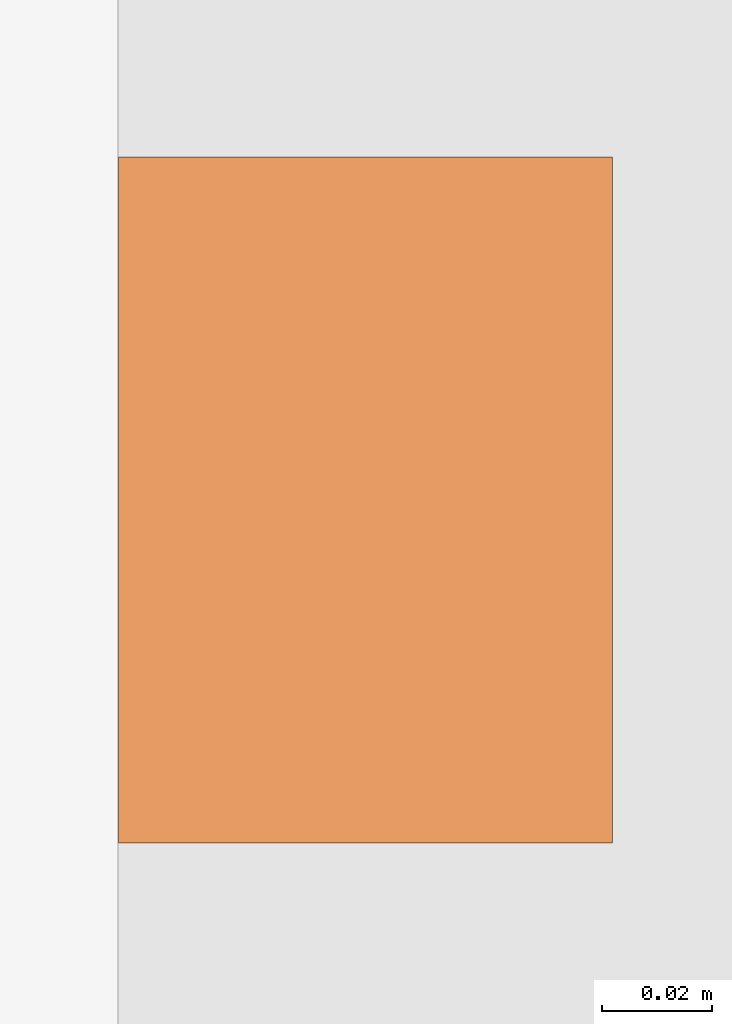
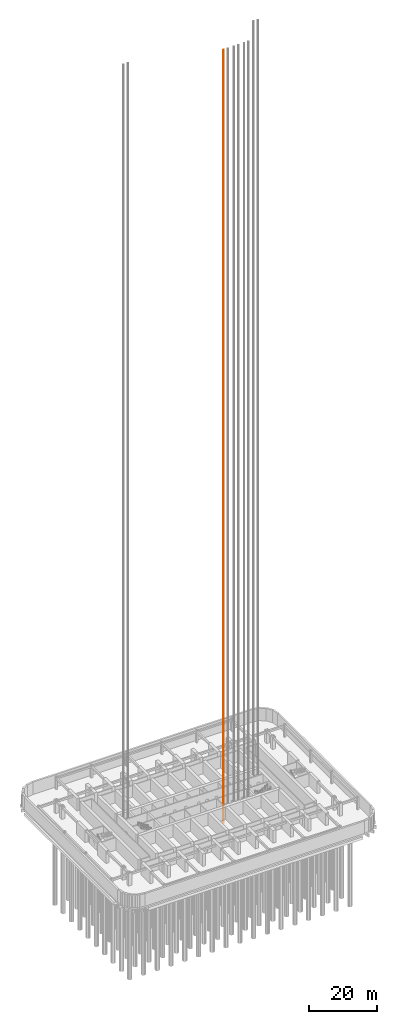
# One storey, part 19 of 28: 1 proxy.
"""IFC4 building model written with IfcOpenShell, lengths in metres."""

from ifc_helpers import new_model, si_unit, direction, frame, origin, origin_2d, place, context, subcontext, project, spatial, rectangle, extrude, material, element, save


model = new_model("IFC4")

# Units and contexts
model_context = context("Model", 3, precision=1e-05, world=origin(), true_north=direction((0.0, 1.0)))
body_context = subcontext(model_context, "Body", "Model", "MODEL_VIEW")
ifc_project = project(units=[si_unit("LENGTHUNIT", "METRE"), si_unit("AREAUNIT", "SQUARE_METRE"), si_unit("VOLUMEUNIT", "CUBIC_METRE"), si_unit("PLANEANGLEUNIT", "RADIAN"), si_unit("MASSUNIT", "GRAM", prefix="KILO")], contexts=[model_context])

# Site, building, storey
site_placement = place(None, origin())
site = spatial("IfcSite", under=ifc_project, at=site_placement, CompositionType="ELEMENT")
building_placement = place(site_placement, origin())
building = spatial("IfcBuilding", under=site, at=building_placement, Name="Orbita Commons", CompositionType="ELEMENT")
storey_placement = place(building_placement, frame((0.0, 0.0, -9.0)))
storey = spatial("IfcBuildingStorey", under=building, at=storey_placement, Name="L-02", CompositionType="ELEMENT", Elevation=-9.0)

# Proxy
ifc_material = material(Name="Machined steel guide rail", Category="steel")
placement = place(storey_placement, frame((49.166748046875, 28.10009765625, 0.0), z_axis=(0.0, 0.0, 1.0), x_axis=(1.0, 0.0, 0.0)))
proxy_placement = place(placement, frame((-0.7548828125, 0.0, -3.199951171875)))
element("IfcBuildingElementProxy", 1, at=proxy_placement, inside=storey, material=ifc_material, Name="SV1 guide rail 1", ObjectType="GUIDE RAIL", PredefinedType="USERDEFINED", context=body_context, shape_type="SweptSolid", body=[
    extrude(rectangle(XDim=0.09, YDim=0.125, at=origin_2d()), origin(), (0.0, 0.0, 1.0), 279.0),
])

save(model, "model.ifc")
